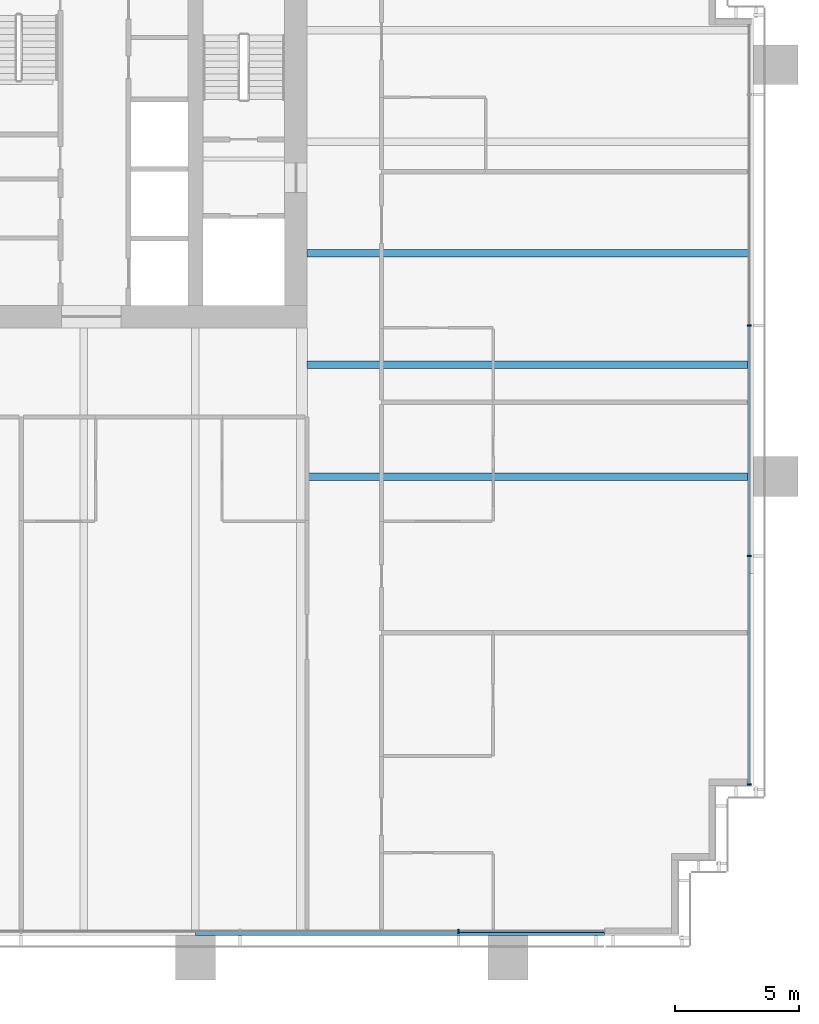
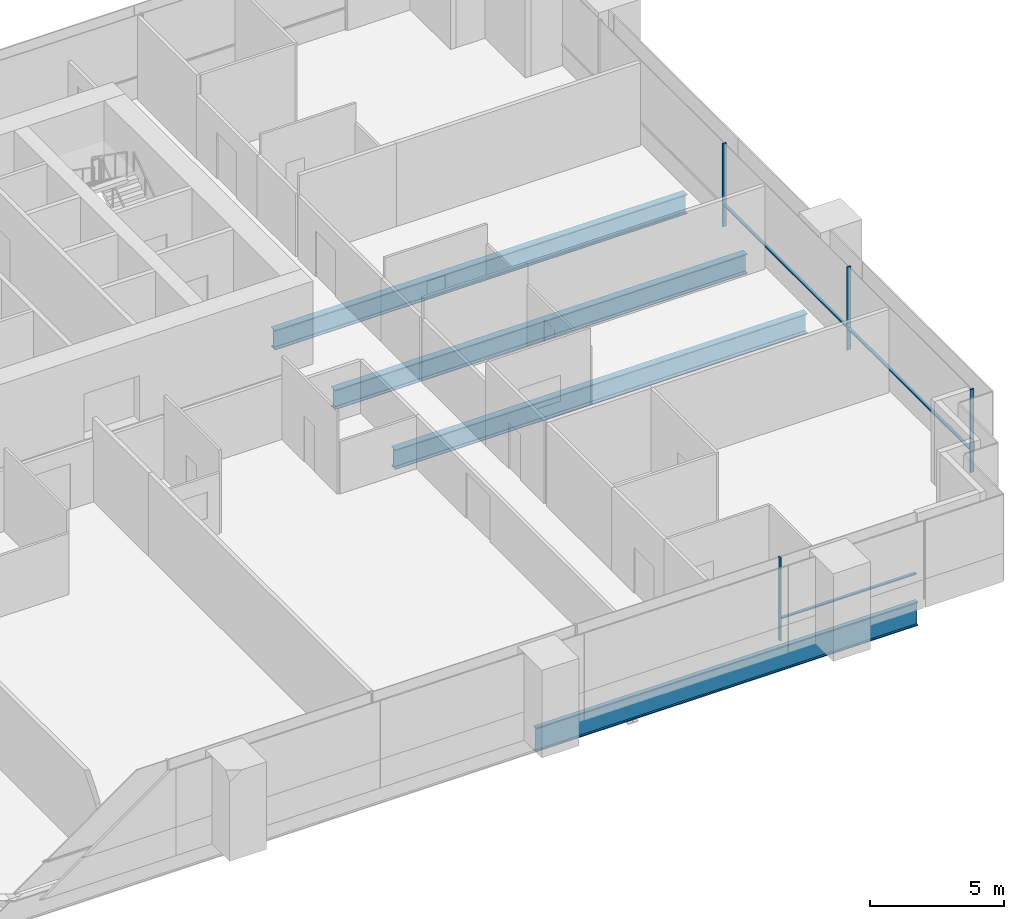
# One storey, part 6 of 19: 7 members, 4 beams, 2 elements without a shape of their own.
"""IFC4 building model written with IfcOpenShell, lengths in metres."""

from ifc_helpers import new_model, si_unit, direction, frame, origin, origin_2d, place, context, subcontext, project, spatial, rectangle, i_section, extrude, material, material_profile, profile_set, type_object, element, aggregate, save


model = new_model("IFC4")

# Units and contexts
model_context = context("Model", 3, precision=1e-05, world=origin(), true_north=direction((0.0, 1.0)))
body_context = subcontext(model_context, "Body", "Model", "MODEL_VIEW")
ifc_project = project(units=[si_unit("LENGTHUNIT", "METRE"), si_unit("AREAUNIT", "SQUARE_METRE"), si_unit("VOLUMEUNIT", "CUBIC_METRE"), si_unit("PLANEANGLEUNIT", "RADIAN"), si_unit("MASSUNIT", "GRAM", prefix="KILO")], contexts=[model_context])

# Site, building, storey
site_placement = place(None, origin())
site = spatial("IfcSite", under=ifc_project, at=site_placement, CompositionType="ELEMENT")
building_placement = place(site_placement, origin())
building = spatial("IfcBuilding", under=site, at=building_placement, Name="Rattan Terrace Tower", CompositionType="ELEMENT")
storey_placement = place(building_placement, frame((0.0, 0.0, 111.699951171875)))
storey = spatial("IfcBuildingStorey", under=building, at=storey_placement, Name="L25", CompositionType="ELEMENT", Elevation=111.699951171875)

# Curtain wall, members
ifc_material_1 = material(Name="Aluminium and glass", Category="aluminium")
curtain_wall_type = type_object("IfcCurtainWallType", Name="Facade Unitised Curtain Wall", PredefinedType="NOTDEFINED", material=ifc_material_1)
curtain_wall_1_placement = place(storey_placement, origin())
curtain_wall_1 = element("IfcCurtainWall", 1, at=curtain_wall_1_placement, inside=storey, type_object=curtain_wall_type, Name="Curtain wall L25-1", PredefinedType="NOTDEFINED")
ifc_material_2 = material(Name="Aluminium", Category="aluminium")
ifc_material_profile_1 = material_profile(ifc_material_2, rectangle(XDim=0.06005859375, YDim=0.159912109375, at=origin_2d()), Name="Aluminium 60x160")
ifc_profile_set_1 = profile_set([ifc_material_profile_1], Name="Aluminium")
member_type_1 = type_object("IfcMemberType", Name="Facade CW Mullion 60x160", PredefinedType="MULLION", material=ifc_profile_set_1)
member_1_placement = place(storey_placement, frame((35.830078125, -25.925048828125, 0.0), z_axis=(0.0, 0.0, 1.0), x_axis=(0.0, 1.0, 0.0)))
member_1 = element("IfcMember", 2, at=member_1_placement, type_object=member_type_1, Name="Mullion cwl-L25-001.1", PredefinedType="MULLION", context=body_context, shape_type="SweptSolid", body=[
    extrude(rectangle(XDim=0.06005859375, YDim=0.159912109375, at=origin_2d()), origin(), (0.0, 0.0, 1.0), 3.800048828125),
])
member_2_placement = place(storey_placement, frame((35.830078125, -16.699951171875, 0.0), z_axis=(0.0, 0.0, 1.0), x_axis=(0.0, 1.0, 0.0)))
member_2 = element("IfcMember", 3, at=member_2_placement, type_object=member_type_1, Name="Mullion cwl-L25-001.2", PredefinedType="MULLION", context=body_context, shape_type="SweptSolid", body=[
    extrude(rectangle(XDim=0.06005859375, YDim=0.159912109375, at=origin_2d()), origin(), (0.0, 0.0, 1.0), 3.800048828125),
])
member_3_placement = place(storey_placement, frame((35.830078125, -7.39990234375, 0.0), z_axis=(0.0, 0.0, 1.0), x_axis=(0.0, 1.0, 0.0)))
member_3 = element("IfcMember", 4, at=member_3_placement, type_object=member_type_1, Name="Mullion cwl-L25-001.3", PredefinedType="MULLION", context=body_context, shape_type="SweptSolid", body=[
    extrude(rectangle(XDim=0.06005859375, YDim=0.159912109375, at=origin_2d()), origin(), (0.0, 0.0, 1.0), 3.800048828125),
])

# Curtain wall, member
curtain_wall_2_placement = place(storey_placement, origin())
curtain_wall_2 = element("IfcCurtainWall", 5, at=curtain_wall_2_placement, inside=storey, type_object=curtain_wall_type, Name="Curtain wall L25-4", PredefinedType="NOTDEFINED")
member_4_placement = place(storey_placement, frame((24.114990234375, -31.830078125, 0.0), z_axis=(0.0, 0.0, 1.0), x_axis=(1.0, 0.0, 0.0)))
member_4 = element("IfcMember", 6, at=member_4_placement, type_object=member_type_1, Name="Mullion cwl-L25-004.6", PredefinedType="MULLION", context=body_context, shape_type="SweptSolid", body=[
    extrude(rectangle(XDim=0.06005859375, YDim=0.159912109375, at=origin_2d()), origin(), (0.0, 0.0, 1.0), 3.800048828125),
])

# Member
ifc_material_3 = material(Name="Aluminium", Category="aluminium")
ifc_material_profile_2 = material_profile(ifc_material_3, rectangle(XDim=0.1201171875, YDim=0.06005859375, at=origin_2d()), Name="Aluminium 120x60")
ifc_profile_set_2 = profile_set([ifc_material_profile_2], Name="Aluminium")
member_type_2 = type_object("IfcMemberType", Name="Facade CW Transom 120x60", PredefinedType="USERDEFINED", material=ifc_profile_set_2)
member_5_placement = place(storey_placement, frame((35.830078125, -25.89501953125, 1.0), z_axis=(0.0, 1.0, 0.0), x_axis=(-1.0, 0.0, 0.0)))
member_5 = element("IfcMember", 7, at=member_5_placement, type_object=member_type_2, Name="Transom cwl-L25-001.1", ObjectType="TRANSOM", PredefinedType="USERDEFINED", context=body_context, shape_type="SweptSolid", body=[
    extrude(rectangle(XDim=0.1201171875, YDim=0.06005859375, at=origin_2d()), origin(), (0.0, 0.0, 1.0), 9.1650390625),
])

member_6_placement = place(storey_placement, frame((35.830078125, -16.669921875, 1.0), z_axis=(0.0, 1.0, 0.0), x_axis=(-1.0, 0.0, 0.0)))
member_6 = element("IfcMember", 8, at=member_6_placement, type_object=member_type_2, Name="Transom cwl-L25-001.2", ObjectType="TRANSOM", PredefinedType="USERDEFINED", context=body_context, shape_type="SweptSolid", body=[
    extrude(rectangle(XDim=0.1201171875, YDim=0.06005859375, at=origin_2d()), origin(), (0.0, 0.0, 1.0), 9.239990234375),
])

aggregate(curtain_wall_1, [member_1, member_2, member_3, member_5, member_6])

member_7_placement = place(storey_placement, frame((24.14501953125, -31.830078125, 1.0), z_axis=(1.0, 0.0, 0.0), x_axis=(0.0, 1.0, 0.0)))
member_7 = element("IfcMember", 9, at=member_7_placement, type_object=member_type_2, Name="Transom cwl-L25-004.6", ObjectType="TRANSOM", PredefinedType="USERDEFINED", context=body_context, shape_type="SweptSolid", body=[
    extrude(rectangle(XDim=0.1201171875, YDim=0.06005859375, at=origin_2d()), origin(), (0.0, 0.0, 1.0), 5.85498046875),
])

aggregate(curtain_wall_2, [member_4, member_7])

# Beams
ifc_material_4 = material(Name="Steel S460", Category="steel")
ifc_material_profile_3 = material_profile(ifc_material_4, i_section(OverallWidth=0.179931640625, OverallDepth=1.10009765625, WebThickness=0.01611328125, FlangeThickness=0.050048828125, at=origin_2d()), Name="PG 1100x180-16-50")
ifc_profile_set_3 = profile_set([ifc_material_profile_3], Name="Steel S460")
beam_type_1 = type_object("IfcBeamType", Name="Frame edge girder PG 1100x180-16-50", PredefinedType="SPANDREL", material=ifc_profile_set_3)
beam_placement = place(storey_placement, frame((30.0, -31.909912109375, -0.75), z_axis=(-1.0, 0.0, 0.0), x_axis=(0.0, -1.0, 0.0)))
element("IfcBeam", 10, at=beam_placement, inside=storey, type_object=beam_type_1, Name="gdr-L25-003", PredefinedType="SPANDREL", context=body_context, shape_type="SweptSolid", body=[
    extrude(i_section(OverallWidth=0.179931640625, OverallDepth=1.10009765625, WebThickness=0.01611328125, FlangeThickness=0.050048828125, at=origin_2d()), origin(), (0.0, 0.0, 1.0), 16.5),
])
ifc_material_5 = material(Name="Steel S355", Category="steel")
ifc_material_profile_4 = material_profile(ifc_material_5, i_section(OverallWidth=0.300048828125, OverallDepth=0.89990234375, WebThickness=0.0185546875, FlangeThickness=0.034912109375, FilletRadius=0.030029296875, at=origin_2d()), Name="HE 900 B")
ifc_profile_set_4 = profile_set([ifc_material_profile_4], Name="Steel S355")
beam_type_2 = type_object("IfcBeamType", Name="Frame floor beam HE 900 B", PredefinedType="JOIST", material=ifc_profile_set_4)
for number, where, z_axis, x_axis, name in (
    (11, (18.0, -13.5, -0.64990234375), (1.0, 0.0, 0.0), (0.0, 1.0, 0.0), "bm-L25-010"),
    (12, (18.0, -9.0, -0.64990234375), (1.0, 0.0, 0.0), (0.0, 1.0, 0.0), "bm-L25-011"),
    (13, (18.0, -4.5, -0.64990234375), (1.0, 0.0, 0.0), (0.0, 1.0, 0.0), "bm-L25-013"),
):
    element("IfcBeam", number, at=place(storey_placement, frame(where, z_axis=z_axis, x_axis=x_axis)), inside=storey, type_object=beam_type_2, Name=name, PredefinedType="JOIST", context=body_context, shape_type="SweptSolid", body=[
        extrude(i_section(OverallWidth=0.300048828125, OverallDepth=0.89990234375, WebThickness=0.0185546875, FlangeThickness=0.034912109375, FilletRadius=0.030029296875, at=origin_2d()), origin(), (0.0, 0.0, 1.0), 17.820068359375),
    ])

save(model, "model.ifc")
